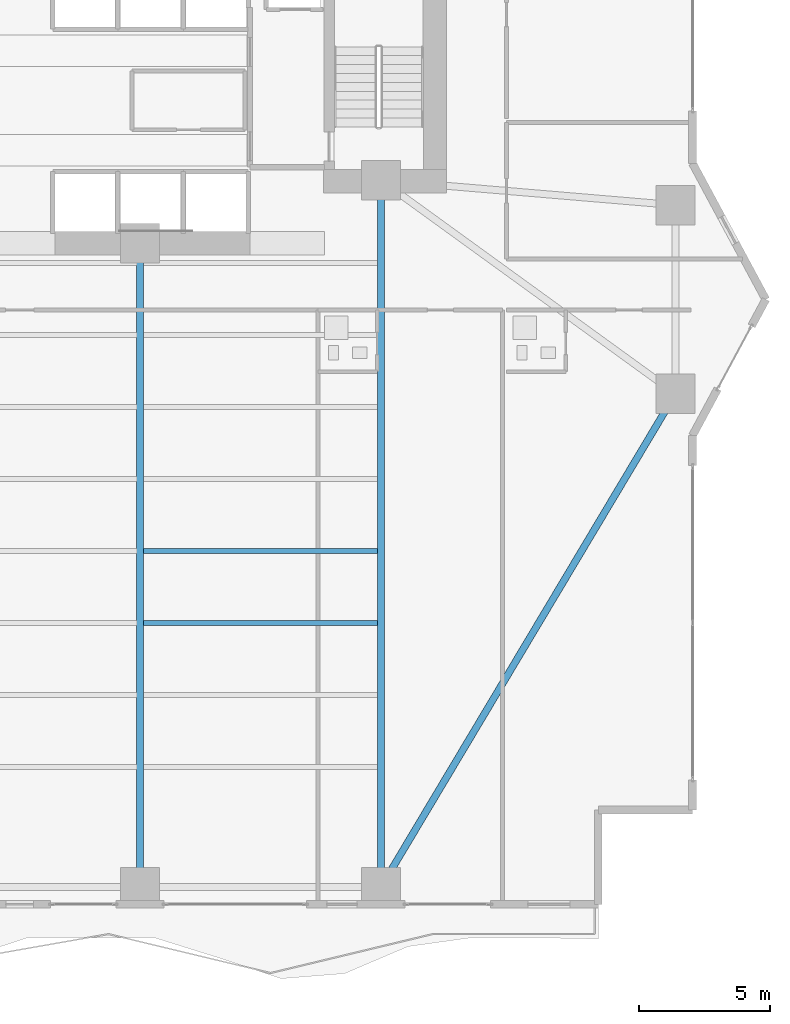
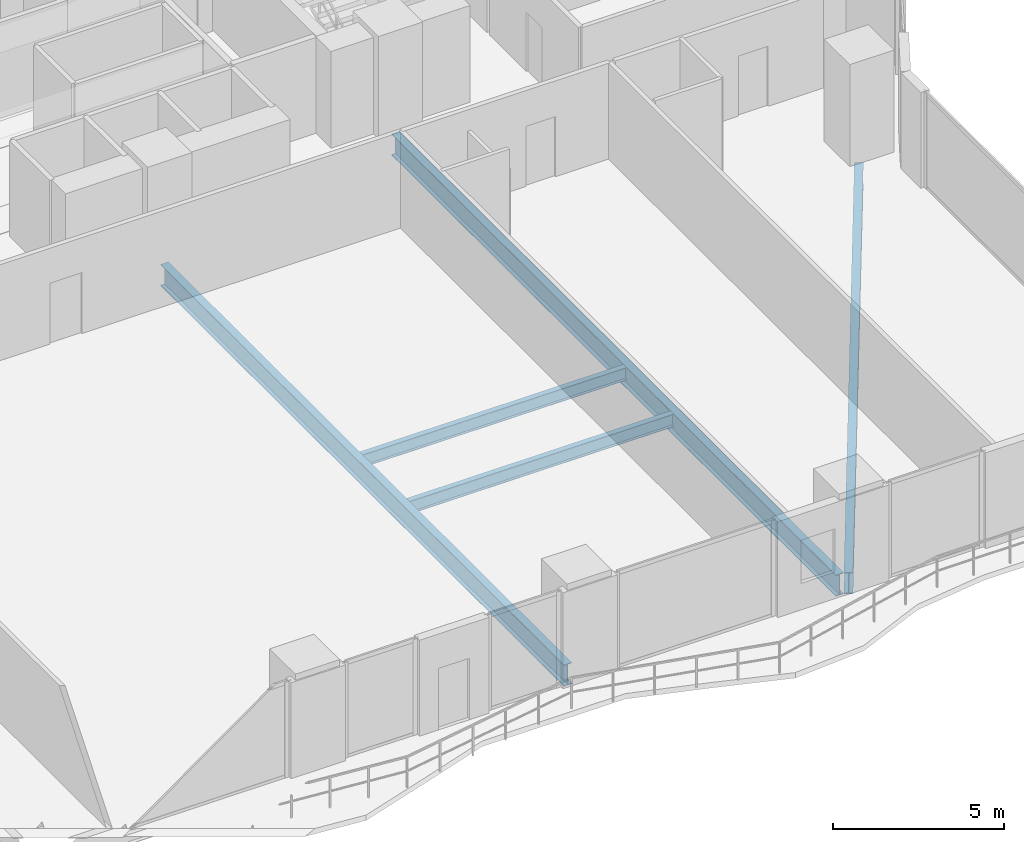
# One storey, part 9 of 28: 5 beams.
"""IFC4 building model written with IfcOpenShell, lengths in metres."""

from ifc_helpers import new_model, si_unit, direction, frame, origin, origin_2d, place, context, subcontext, project, spatial, i_section, extrude, material, material_profile, profile_set, type_object, element, save


model = new_model("IFC4")

# Units and contexts
model_context = context("Model", 3, precision=1e-05, world=origin(), true_north=direction((0.0, 1.0)))
body_context = subcontext(model_context, "Body", "Model", "MODEL_VIEW")
ifc_project = project(units=[si_unit("LENGTHUNIT", "METRE"), si_unit("AREAUNIT", "SQUARE_METRE"), si_unit("VOLUMEUNIT", "CUBIC_METRE"), si_unit("PLANEANGLEUNIT", "RADIAN"), si_unit("MASSUNIT", "GRAM", prefix="KILO")], contexts=[model_context])

# Site, building, storey
site_placement = place(None, origin())
site = spatial("IfcSite", under=ifc_project, at=site_placement, CompositionType="ELEMENT")
building_placement = place(site_placement, origin())
building = spatial("IfcBuilding", under=site, at=building_placement, Name="Zuhayl Quay Hotel", CompositionType="ELEMENT")
storey_placement = place(building_placement, frame((0.0, 0.0, 71.39990234375)))
storey = spatial("IfcBuildingStorey", under=building, at=storey_placement, Name="L17", CompositionType="ELEMENT", Elevation=71.39990234375)

# Beams
ifc_material = material(Name="Steel ASTM A992 Grade 50", Category="steel")
ifc_material_profile_1 = material_profile(ifc_material, i_section(OverallWidth=0.26708984375, OverallDepth=0.761962890625, WebThickness=0.014404296875, FlangeThickness=0.021484375, at=origin_2d()), Name="W30X116")
ifc_profile_set_1 = profile_set([ifc_material_profile_1], Name="Steel ASTM A992 Grade 50")
beam_type_1 = type_object("IfcBeamType", Name="BM_B1_W30X116", PredefinedType="BEAM", material=ifc_profile_set_1)
beam_1_placement = place(storey_placement, frame((14.05615234375, -22.020751953125, -0.600830078125), z_axis=(0.512482593247, 0.85869761361, 0.0), x_axis=(-0.85869761361, 0.512482593247, 0.0)))
element("IfcBeam", 1, at=beam_1_placement, inside=storey, type_object=beam_type_1, Name="L17 Floor Beam RG_L17_04", PredefinedType="BEAM", context=body_context, shape_type="SweptSolid", body=[
    extrude(i_section(OverallWidth=0.26708984375, OverallDepth=0.761962890625, WebThickness=0.014404296875, FlangeThickness=0.021484375, at=origin_2d()), origin(), (0.0, 0.0, 1.0), 20.9521484375),
])
beam_2_placement = place(storey_placement, frame((4.60009765625, -21.949951171875, -0.600830078125), z_axis=(0.0, 1.0, 0.0), x_axis=(-1.0, 0.0, 0.0)))
element("IfcBeam", 2, at=beam_2_placement, inside=storey, type_object=beam_type_1, Name="L17 Floor Beam FG_S_L17_3", PredefinedType="BEAM", context=body_context, shape_type="SweptSolid", body=[
    extrude(i_section(OverallWidth=0.26708984375, OverallDepth=0.761962890625, WebThickness=0.014404296875, FlangeThickness=0.021484375, at=origin_2d()), origin(), (0.0, 0.0, 1.0), 23.64990234375),
])
beam_3_placement = place(storey_placement, frame((13.800048828125, -21.949951171875, -0.600830078125), z_axis=(0.0, 1.0, 0.0), x_axis=(-1.0, 0.0, 0.0)))
element("IfcBeam", 3, at=beam_3_placement, inside=storey, type_object=beam_type_1, Name="L17 Floor Beam FG_S_L17_4", PredefinedType="BEAM", context=body_context, shape_type="SweptSolid", body=[
    extrude(i_section(OverallWidth=0.26708984375, OverallDepth=0.761962890625, WebThickness=0.014404296875, FlangeThickness=0.021484375, at=origin_2d()), origin(), (0.0, 0.0, 1.0), 26.050048828125),
])
ifc_material_profile_2 = material_profile(ifc_material, i_section(OverallWidth=0.18994140625, OverallDepth=0.45703125, WebThickness=0.009033203125, FlangeThickness=0.014404296875, at=origin_2d()), Name="W18X50")
ifc_profile_set_2 = profile_set([ifc_material_profile_2], Name="Steel ASTM A992 Grade 50")
beam_type_2 = type_object("IfcBeamType", Name="BM_J2_W18X50", PredefinedType="JOIST", material=ifc_profile_set_2)
for number, where, z_axis, x_axis, name in (
    (4, (4.7255859375, -12.35009765625, -0.448486328125), (1.0, 0.0, 0.0), (0.0, 1.0, 0.0), "L17 Floor Beam FJ_L17_5_3"),
    (5, (4.7255859375, -9.60009765625, -0.448486328125), (1.0, 0.0, 0.0), (0.0, 1.0, 0.0), "L17 Floor Beam FJ_L17_6_3"),
):
    element("IfcBeam", number, at=place(storey_placement, frame(where, z_axis=z_axis, x_axis=x_axis)), inside=storey, type_object=beam_type_2, Name=name, PredefinedType="JOIST", context=body_context, shape_type="SweptSolid", body=[
        extrude(i_section(OverallWidth=0.18994140625, OverallDepth=0.45703125, WebThickness=0.009033203125, FlangeThickness=0.014404296875, at=origin_2d()), origin(), (0.0, 0.0, 1.0), 8.948974609375),
    ])

save(model, "model.ifc")
